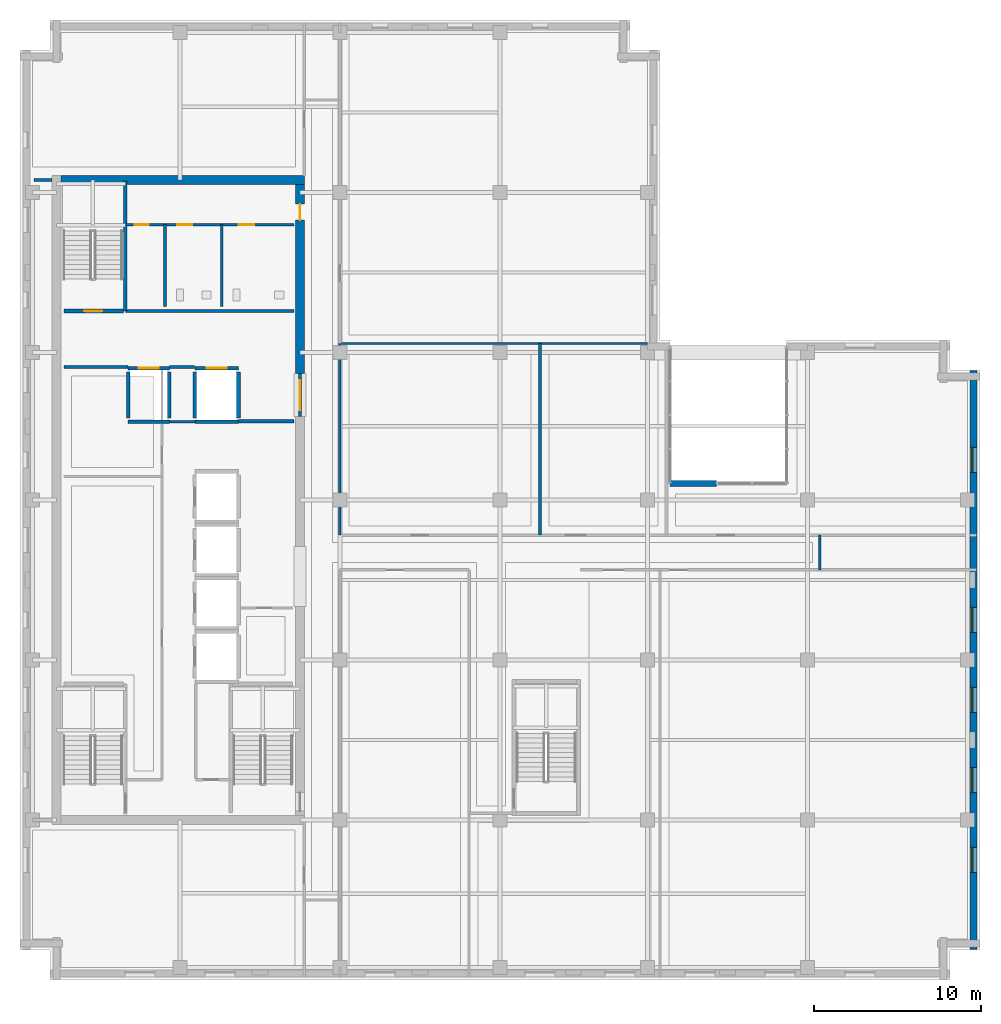
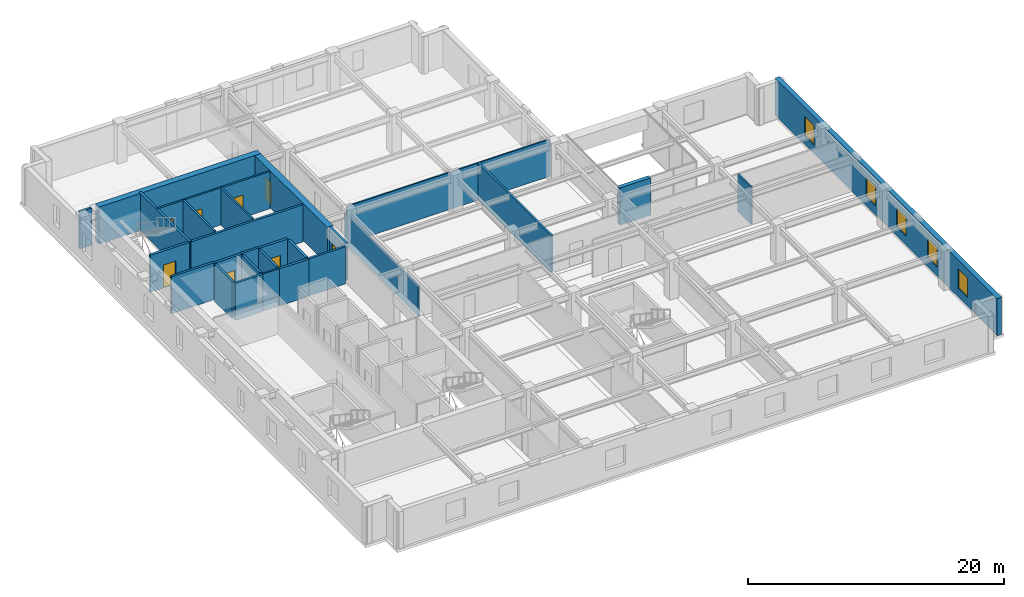
# One storey, part 5 of 12: 28 walls, 8 doors, 5 windows, 13 openings.
"""IFC4 building model written with IfcOpenShell, lengths in metres."""

from ifc_helpers import new_model, si_unit, direction, frame, frame_2d, origin, place, context, subcontext, project, spatial, rectangle, extrude, material, layer, layer_set, type_object, element, fill, save


model = new_model("IFC4")

# Units and contexts
model_context = context("Model", 3, precision=1e-05, world=origin(), true_north=direction((0.0, 1.0)))
body_context = subcontext(model_context, "Body", "Model", "MODEL_VIEW")
ifc_project = project(units=[si_unit("LENGTHUNIT", "METRE"), si_unit("AREAUNIT", "SQUARE_METRE"), si_unit("VOLUMEUNIT", "CUBIC_METRE"), si_unit("PLANEANGLEUNIT", "RADIAN"), si_unit("MASSUNIT", "GRAM", prefix="KILO")], contexts=[model_context])

# Site, building, storey
site_placement = place(None, origin())
site = spatial("IfcSite", under=ifc_project, at=site_placement, CompositionType="ELEMENT")
building_placement = place(site_placement, origin())
building = spatial("IfcBuilding", under=site, at=building_placement, Name="Norrvale University Quadrangle", CompositionType="ELEMENT")
storey_placement = place(building_placement, frame((0.0, 0.0, 225.60009765625)))
storey = spatial("IfcBuildingStorey", under=building, at=storey_placement, Name="L57", CompositionType="ELEMENT", Elevation=225.60009765625)

# Wall, openings, windows
ifc_material_1 = material(Name="Buff Norman Clay Brick Masonry", Category="masonry")
ifc_layer_1 = layer(ifc_material_1, 0.419921875, Name="Buff Norman Clay Brick Masonry")
ifc_layer_set_1 = layer_set([ifc_layer_1], Name="Buff Norman Clay Brick Masonry")
wall_type_1 = type_object("IfcWallType", Name="Wall Buff Brick 420", PredefinedType="SOLIDWALL", material=ifc_layer_set_1)
wall_1_placement = place(storey_placement, frame((57.2099609375, 1.840087890625, 0.0), z_axis=(0.0, 0.0, 1.0), x_axis=(0.0, 1.0, 0.0)))
wall_1 = element("IfcWall", 1, at=wall_1_placement, inside=storey, type_object=wall_type_1, Name="Exterior Brick Facade Wall L57-04.1", PredefinedType="SOLIDWALL", context=body_context, shape_type="SweptSolid", body=[
    extrude(rectangle(XDim=34.719970703125, YDim=0.419921875, at=frame_2d((17.35986328125, 0.0))), origin(), (0.0, 0.0, 1.0), 3.539794921875),
])
opening_1_placement = place(wall_1_placement, frame((4.610107421875, 0.0, 0.85009765625)))
opening_1 = element("IfcOpeningElement", 2, at=opening_1_placement, cuts=wall_1, Name="Opening W03", PredefinedType="OPENING", context=body_context, shape_type="SweptSolid", body=[
    extrude(rectangle(XDim=1.5, YDim=1.85009765625, at=frame_2d((0.75, 0.925048828125))), frame((0.0, 0.221923828125, 0.0), z_axis=(0.0, -1.0, 0.0), x_axis=(1.0, 0.0, 0.0)), (0.0, 0.0, 1.0), 0.44384765625),
])
opening_2_placement = place(wall_1_placement, frame((9.409912109375, 0.0, 0.85009765625)))
opening_2 = element("IfcOpeningElement", 3, at=opening_2_placement, cuts=wall_1, Name="Opening W03", PredefinedType="OPENING", context=body_context, shape_type="SweptSolid", body=[
    extrude(rectangle(XDim=1.5, YDim=1.85009765625, at=frame_2d((0.75, 0.925048828125))), frame((0.0, 0.221923828125, 0.0), z_axis=(0.0, -1.0, 0.0), x_axis=(1.0, 0.0, 0.0)), (0.0, 0.0, 1.0), 0.44384765625),
])
opening_3_placement = place(wall_1_placement, frame((14.2099609375, 0.0, 0.85009765625)))
opening_3 = element("IfcOpeningElement", 4, at=opening_3_placement, cuts=wall_1, Name="Opening W03", PredefinedType="OPENING", context=body_context, shape_type="SweptSolid", body=[
    extrude(rectangle(XDim=1.5, YDim=1.85009765625, at=frame_2d((0.75, 0.925048828125))), frame((0.0, 0.221923828125, 0.0), z_axis=(0.0, -1.0, 0.0), x_axis=(1.0, 0.0, 0.0)), (0.0, 0.0, 1.0), 0.44384765625),
])
opening_4_placement = place(wall_1_placement, frame((19.010009765625, 0.0, 0.85009765625)))
opening_4 = element("IfcOpeningElement", 5, at=opening_4_placement, cuts=wall_1, Name="Opening W03", PredefinedType="OPENING", context=body_context, shape_type="SweptSolid", body=[
    extrude(rectangle(XDim=1.5, YDim=1.85009765625, at=frame_2d((0.75, 0.925048828125))), frame((0.0, 0.221923828125, 0.0), z_axis=(0.0, -1.0, 0.0), x_axis=(1.0, 0.0, 0.0)), (0.0, 0.0, 1.0), 0.44384765625),
])
opening_5_placement = place(wall_1_placement, frame((28.610107421875, 0.0, 0.85009765625)))
opening_5 = element("IfcOpeningElement", 6, at=opening_5_placement, cuts=wall_1, Name="Opening W03", PredefinedType="OPENING", context=body_context, shape_type="SweptSolid", body=[
    extrude(rectangle(XDim=1.5, YDim=1.85009765625, at=frame_2d((0.75, 0.925048828125))), frame((0.0, 0.221923828125, 0.0), z_axis=(0.0, -1.0, 0.0), x_axis=(1.0, 0.0, 0.0)), (0.0, 0.0, 1.0), 0.44384765625),
])
ifc_material_2 = material(Name="Triple Low-E Argon Glazing", Category="glass")
window_type = type_object("IfcWindowType", Name="Window Studio 1500x2300", PartitioningType="DOUBLE_PANEL_VERTICAL", PredefinedType="WINDOW", material=ifc_material_2)
window_1_placement = place(opening_1_placement, origin())
window_1 = element("IfcWindow", 7, at=window_1_placement, inside=storey, type_object=window_type, Name="Window Studio 1500x2300 WIN-L57-E04-1-01", OverallHeight=1.85009765625, OverallWidth=1.5, PartitioningType="DOUBLE_PANEL_VERTICAL", PredefinedType="WINDOW", context=body_context, shape_type="SweptSolid", body=[
    extrude(rectangle(XDim=1.5, YDim=1.85009765625, at=frame_2d((0.75, 0.925048828125))), frame((0.0, 0.110107421875, 0.0), z_axis=(0.0, -1.0, 0.0), x_axis=(1.0, 0.0, 0.0)), (0.0, 0.0, 1.0), 0.06005859375),
])
fill(opening_1, window_1)
window_2_placement = place(opening_2_placement, origin())
window_2 = element("IfcWindow", 8, at=window_2_placement, inside=storey, type_object=window_type, Name="Window Studio 1500x2300 WIN-L57-E04-1-02", OverallHeight=1.85009765625, OverallWidth=1.5, PartitioningType="DOUBLE_PANEL_VERTICAL", PredefinedType="WINDOW", context=body_context, shape_type="SweptSolid", body=[
    extrude(rectangle(XDim=1.5, YDim=1.85009765625, at=frame_2d((0.75, 0.925048828125))), frame((0.0, 0.110107421875, 0.0), z_axis=(0.0, -1.0, 0.0), x_axis=(1.0, 0.0, 0.0)), (0.0, 0.0, 1.0), 0.06005859375),
])
fill(opening_2, window_2)
window_3_placement = place(opening_3_placement, origin())
window_3 = element("IfcWindow", 9, at=window_3_placement, inside=storey, type_object=window_type, Name="Window Studio 1500x2300 WIN-L57-E04-1-03", OverallHeight=1.85009765625, OverallWidth=1.5, PartitioningType="DOUBLE_PANEL_VERTICAL", PredefinedType="WINDOW", context=body_context, shape_type="SweptSolid", body=[
    extrude(rectangle(XDim=1.5, YDim=1.85009765625, at=frame_2d((0.75, 0.925048828125))), frame((0.0, 0.110107421875, 0.0), z_axis=(0.0, -1.0, 0.0), x_axis=(1.0, 0.0, 0.0)), (0.0, 0.0, 1.0), 0.06005859375),
])
fill(opening_3, window_3)
window_4_placement = place(opening_4_placement, origin())
window_4 = element("IfcWindow", 10, at=window_4_placement, inside=storey, type_object=window_type, Name="Window Studio 1500x2300 WIN-L57-E04-1-04", OverallHeight=1.85009765625, OverallWidth=1.5, PartitioningType="DOUBLE_PANEL_VERTICAL", PredefinedType="WINDOW", context=body_context, shape_type="SweptSolid", body=[
    extrude(rectangle(XDim=1.5, YDim=1.85009765625, at=frame_2d((0.75, 0.925048828125))), frame((0.0, 0.110107421875, 0.0), z_axis=(0.0, -1.0, 0.0), x_axis=(1.0, 0.0, 0.0)), (0.0, 0.0, 1.0), 0.06005859375),
])
fill(opening_4, window_4)
window_5_placement = place(opening_5_placement, origin())
window_5 = element("IfcWindow", 11, at=window_5_placement, inside=storey, type_object=window_type, Name="Window Studio 1500x2300 WIN-L57-E04-1-05", OverallHeight=1.85009765625, OverallWidth=1.5, PartitioningType="DOUBLE_PANEL_VERTICAL", PredefinedType="WINDOW", context=body_context, shape_type="SweptSolid", body=[
    extrude(rectangle(XDim=1.5, YDim=1.85009765625, at=frame_2d((0.75, 0.925048828125))), frame((0.0, 0.110107421875, 0.0), z_axis=(0.0, -1.0, 0.0), x_axis=(1.0, 0.0, 0.0)), (0.0, 0.0, 1.0), 0.06005859375),
])
fill(opening_5, window_5)

# Walls
wall_2_placement = place(storey_placement, frame((39.0, 29.800048828125, 0.0), z_axis=(0.0, 0.0, 1.0), x_axis=(1.0, 0.0, 0.0)))
element("IfcWall", 12, at=wall_2_placement, inside=storey, type_object=wall_type_1, Name="Sky Garden Loggia Access Wall L57", PredefinedType="SOLIDWALL", context=body_context, shape_type="SweptSolid", body=[
    extrude(rectangle(XDim=2.800048828125, YDim=0.360107421875, at=frame_2d((1.39990234375, 0.0))), origin(), (0.0, 0.0, 1.0), 3.539794921875),
])
ifc_material_3 = material(Name="Concrete C60/75", Category="concrete")
ifc_layer_2 = layer(ifc_material_3, 0.550048828125, Name="Concrete C60/75")
ifc_layer_set_2 = layer_set([ifc_layer_2], Name="Concrete C60/75")
wall_type_2 = type_object("IfcWallType", Name="Wall Core 550", PredefinedType="SHEAR", material=ifc_layer_set_2)
wall_3_placement = place(storey_placement, frame((2.47509765625, 48.0, 0.0), z_axis=(0.0, 0.0, 1.0), x_axis=(1.0, 0.0, 0.0)))
element("IfcWall", 13, at=wall_3_placement, inside=storey, type_object=wall_type_2, Name="Tower Core Shear Wall L57-N", PredefinedType="SHEAR", context=body_context, shape_type="SweptSolid", body=[
    extrude(rectangle(XDim=14.599853515625, YDim=0.550048828125, at=frame_2d((7.2998046875, 0.0))), origin(), (0.0, 0.0, 1.0), 3.539794921875),
])

# Wall, opening, door
wall_4_placement = place(storey_placement, frame((16.800048828125, 36.39990234375, 0.0), z_axis=(0.0, 0.0, 1.0), x_axis=(0.0, 1.0, 0.0)))
wall_4 = element("IfcWall", 14, at=wall_4_placement, inside=storey, type_object=wall_type_2, Name="Tower Core Shear Wall L57-E3", PredefinedType="SHEAR", context=body_context, shape_type="SweptSolid", body=[
    extrude(rectangle(XDim=11.3251953125, YDim=0.550048828125, at=frame_2d((5.66259765625, 0.0))), origin(), (0.0, 0.0, 1.0), 3.539794921875),
])
opening_6_placement = place(wall_4_placement, frame((9.199951171875, 0.0, 0.0)))
opening_6 = element("IfcOpeningElement", 15, at=opening_6_placement, cuts=wall_4, Name="Opening D07", PredefinedType="OPENING", context=body_context, shape_type="SweptSolid", body=[
    extrude(rectangle(XDim=0.949951171875, YDim=2.14990234375, at=frame_2d((0.47509765625, 1.074951171875))), frame((0.0, 0.287109375, 0.0), z_axis=(0.0, -1.0, 0.0), x_axis=(1.0, 0.0, 0.0)), (0.0, 0.0, 1.0), 0.573974609375),
])
ifc_material_4 = material(Name="Solid-Core Maple Door", Category="wood")
door_type_1 = type_object("IfcDoorType", Name="Door Office 950x2150", OperationType="NOTDEFINED", PredefinedType="DOOR", material=ifc_material_4)
door_1_placement = place(opening_6_placement, origin())
door_1 = element("IfcDoor", 16, at=door_1_placement, inside=storey, type_object=door_type_1, Name="Door Office 950x2150 DR-L57-NECORR", OperationType="SINGLE_SWING_RIGHT", OverallHeight=2.14990234375, OverallWidth=0.949951171875, PredefinedType="DOOR", context=body_context, shape_type="SweptSolid", body=[
    extrude(rectangle(XDim=0.949951171875, YDim=2.14990234375, at=frame_2d((0.47509765625, 1.074951171875))), frame((0.0, 0.02490234375, 0.0), z_axis=(0.0, -1.0, 0.0), x_axis=(1.0, 0.0, 0.0)), (0.0, 0.0, 1.0), 0.050048828125),
])
fill(opening_6, door_1)

# Walls
ifc_material_5 = material(Name="Standard Academic Gypsum Partition")
ifc_layer_3 = layer(ifc_material_5, 0.125, Name="Standard Academic Gypsum Partition")
ifc_layer_set_3 = layer_set([ifc_layer_3], Name="Standard Academic Gypsum Partition")
wall_type_3 = type_object("IfcWallType", Name="Wall Gypsum Academic 125", PredefinedType="PARTITIONING", material=ifc_layer_set_3)
wall_5_placement = place(storey_placement, frame((19.280029296875, 38.179931640625, 0.0), z_axis=(0.0, 0.0, 1.0), x_axis=(1.0, 0.0, 0.0)))
element("IfcWall", 17, at=wall_5_placement, inside=storey, type_object=wall_type_3, Name="Interior Partition WL-L57-ME-N", PredefinedType="PARTITIONING", context=body_context, shape_type="SweptSolid", body=[
    extrude(rectangle(XDim=18.369873046875, YDim=0.125, at=frame_2d((9.18505859375, 0.0))), origin(), (0.0, 0.0, 1.0), 3.539794921875),
])
ifc_material_6 = material(Name="Fire-Rated Gypsum Stud Partition")
ifc_layer_4 = layer(ifc_material_6, 0.14990234375, Name="Fire-Rated Gypsum Stud Partition")
ifc_layer_set_4 = layer_set([ifc_layer_4], Name="Fire-Rated Gypsum Stud Partition")
wall_type_4 = type_object("IfcWallType", Name="Wall Gypsum Corridor 150", PredefinedType="PARTITIONING", material=ifc_layer_set_4)
wall_6_placement = place(storey_placement, frame((8.965087890625, 33.489990234375, 0.0), z_axis=(0.0, 0.0, 1.0), x_axis=(1.0, 0.0, 0.0)))
element("IfcWall", 18, at=wall_6_placement, inside=storey, type_object=wall_type_4, Name="Interior Partition WL-L57-LL3", PredefinedType="PARTITIONING", context=body_context, shape_type="SweptSolid", body=[
    extrude(rectangle(XDim=1.52001953125, YDim=0.14990234375, at=frame_2d((0.760009765625, 0.0))), origin(), (0.0, 0.0, 1.0), 3.539794921875),
])
wall_7_placement = place(storey_placement, frame((48.0, 24.60009765625, 0.0), z_axis=(0.0, 0.0, 1.0), x_axis=(0.0, 1.0, 0.0)))
element("IfcWall", 19, at=wall_7_placement, inside=storey, type_object=wall_type_4, Name="Interior Partition WL-L57-CESP-E", PredefinedType="PARTITIONING", context=body_context, shape_type="SweptSolid", body=[
    extrude(rectangle(XDim=2.099853515625, YDim=0.14990234375, at=frame_2d((1.0498046875, 0.0))), origin(), (0.0, 0.0, 1.0), 3.539794921875),
])
wall_8_placement = place(storey_placement, frame((19.199951171875, 26.699951171875, 0.0), z_axis=(0.0, 0.0, 1.0), x_axis=(0.0, 1.0, 0.0)))
element("IfcWall", 20, at=wall_8_placement, inside=storey, type_object=wall_type_4, Name="Interior Partition WL-L57-ME-W", PredefinedType="PARTITIONING", context=body_context, shape_type="SweptSolid", body=[
    extrude(rectangle(XDim=11.47998046875, YDim=0.14990234375, at=frame_2d((5.739990234375, 0.0))), origin(), (0.0, 0.0, 1.0), 2.9228515625),
])
ifc_material_7 = material(Name="Acoustic Double-Stud Gypsum Partition")
ifc_layer_5 = layer(ifc_material_7, 0.179931640625, Name="Acoustic Double-Stud Gypsum Partition")
ifc_layer_set_5 = layer_set([ifc_layer_5], Name="Acoustic Double-Stud Gypsum Partition")
wall_type_5 = type_object("IfcWallType", Name="Wall Gypsum Lecture 180", PredefinedType="PARTITIONING", material=ifc_layer_set_5)
wall_9_placement = place(storey_placement, frame((31.199951171875, 26.699951171875, 0.0), z_axis=(0.0, 0.0, 1.0), x_axis=(0.0, 1.0, 0.0)))
element("IfcWall", 21, at=wall_9_placement, inside=storey, type_object=wall_type_5, Name="Interior Partition WL-L57-MEP01", PredefinedType="PARTITIONING", context=body_context, shape_type="SweptSolid", body=[
    extrude(rectangle(XDim=11.47998046875, YDim=0.179931640625, at=frame_2d((5.739990234375, 0.0))), origin(), (0.0, 0.0, 1.0), 3.539794921875),
])

# Wall, openings, doors
ifc_material_8 = material(Name="Sanitary Chase Gypsum Partition")
ifc_layer_6 = layer(ifc_material_8, 0.1650390625, Name="Sanitary Chase Gypsum Partition")
ifc_layer_set_6 = layer_set([ifc_layer_6], Name="Sanitary Chase Gypsum Partition")
wall_type_6 = type_object("IfcWallType", Name="Wall Gypsum Sanitary 165", PredefinedType="PLUMBINGWALL", material=ifc_layer_set_6)
wall_10_placement = place(storey_placement, frame((6.320068359375, 45.320068359375, 0.0), z_axis=(0.0, 0.0, 1.0), x_axis=(1.0, 0.0, 0.0)))
wall_10 = element("IfcWall", 22, at=wall_10_placement, inside=storey, type_object=wall_type_6, Name="Interior Partition WL-L57-WCN", PredefinedType="PLUMBINGWALL", context=body_context, shape_type="SweptSolid", body=[
    extrude(rectangle(XDim=10.1298828125, YDim=0.1650390625, at=frame_2d((5.06494140625, 0.0))), origin(), (0.0, 0.0, 1.0), 3.539794921875),
])
opening_7_placement = place(wall_10_placement, frame((0.550048828125, 0.0, 0.0)))
opening_7 = element("IfcOpeningElement", 23, at=opening_7_placement, cuts=wall_10, Name="Opening D10", PredefinedType="OPENING", context=body_context, shape_type="SweptSolid", body=[
    extrude(rectangle(XDim=0.85009765625, YDim=2.10009765625, at=frame_2d((0.425048828125, 1.050048828125))), frame((0.0, 0.094482421875, 0.0), z_axis=(0.0, -1.0, 0.0), x_axis=(1.0, 0.0, 0.0)), (0.0, 0.0, 1.0), 0.18896484375),
])
opening_8_placement = place(wall_10_placement, frame((3.10009765625, 0.0, 0.0)))
opening_8 = element("IfcOpeningElement", 24, at=opening_8_placement, cuts=wall_10, Name="Opening D08", PredefinedType="OPENING", context=body_context, shape_type="SweptSolid", body=[
    extrude(rectangle(XDim=0.919921875, YDim=2.14990234375, at=frame_2d((0.4599609375, 1.074951171875))), frame((0.0, 0.094482421875, 0.0), z_axis=(0.0, -1.0, 0.0), x_axis=(1.0, 0.0, 0.0)), (0.0, 0.0, 1.0), 0.18896484375),
])
opening_9_placement = place(wall_10_placement, frame((6.800048828125, 0.0, 0.0)))
opening_9 = element("IfcOpeningElement", 25, at=opening_9_placement, cuts=wall_10, Name="Opening D08", PredefinedType="OPENING", context=body_context, shape_type="SweptSolid", body=[
    extrude(rectangle(XDim=0.919921875, YDim=2.14990234375, at=frame_2d((0.4599609375, 1.074951171875))), frame((0.0, 0.094482421875, 0.0), z_axis=(0.0, -1.0, 0.0), x_axis=(1.0, 0.0, 0.0)), (0.0, 0.0, 1.0), 0.18896484375),
])
ifc_material_9 = material(Name="Hollow Steel 350W Riser Fire Door", Category="steel")
door_type_2 = type_object("IfcDoorType", Name="Door Riser 850x2100", OperationType="NOTDEFINED", PredefinedType="DOOR", material=ifc_material_9)
door_2_placement = place(opening_7_placement, origin())
door_2 = element("IfcDoor", 26, at=door_2_placement, inside=storey, type_object=door_type_2, Name="Door Riser 850x2100 DR-L57-WC1", OperationType="SINGLE_SWING_LEFT", OverallHeight=2.10009765625, OverallWidth=0.85009765625, PredefinedType="DOOR", context=body_context, shape_type="SweptSolid", body=[
    extrude(rectangle(XDim=0.85009765625, YDim=2.10009765625, at=frame_2d((0.425048828125, 1.050048828125))), frame((0.0, 0.02490234375, 0.0), z_axis=(0.0, -1.0, 0.0), x_axis=(1.0, 0.0, 0.0)), (0.0, 0.0, 1.0), 0.050048828125),
])
fill(opening_7, door_2)
ifc_material_10 = material(Name="Laminate Washroom Door", Category="wood")
door_type_3 = type_object("IfcDoorType", Name="Door Washroom 920x2150", OperationType="NOTDEFINED", PredefinedType="DOOR", material=ifc_material_10)
door_3_placement = place(opening_8_placement, origin())
door_3 = element("IfcDoor", 27, at=door_3_placement, inside=storey, type_object=door_type_3, Name="Door Washroom 920x2150 DR-L57-WC2", OperationType="SINGLE_SWING_RIGHT", OverallHeight=2.14990234375, OverallWidth=0.919921875, PredefinedType="DOOR", context=body_context, shape_type="SweptSolid", body=[
    extrude(rectangle(XDim=0.919921875, YDim=2.14990234375, at=frame_2d((0.4599609375, 1.074951171875))), frame((0.0, 0.02490234375, 0.0), z_axis=(0.0, -1.0, 0.0), x_axis=(1.0, 0.0, 0.0)), (0.0, 0.0, 1.0), 0.050048828125),
])
fill(opening_8, door_3)
door_4_placement = place(opening_9_placement, origin())
door_4 = element("IfcDoor", 28, at=door_4_placement, inside=storey, type_object=door_type_3, Name="Door Washroom 920x2150 DR-L57-WC3", OperationType="SINGLE_SWING_LEFT", OverallHeight=2.14990234375, OverallWidth=0.919921875, PredefinedType="DOOR", context=body_context, shape_type="SweptSolid", body=[
    extrude(rectangle(XDim=0.919921875, YDim=2.14990234375, at=frame_2d((0.4599609375, 1.074951171875))), frame((0.0, 0.02490234375, 0.0), z_axis=(0.0, -1.0, 0.0), x_axis=(1.0, 0.0, 0.0)), (0.0, 0.0, 1.0), 0.050048828125),
])
fill(opening_9, door_4)

# Walls
for number, where, z_axis, x_axis, name in (
    (29, (8.699951171875, 40.39990234375, 0.0), (0.0, 0.0, 1.0), (0.0, 1.0, 0.0), "Interior Partition WL-L57-WCM1"),
    (30, (12.10009765625, 40.39990234375, 0.0), (0.0, 0.0, 1.0), (0.0, 1.0, 0.0), "Interior Partition WL-L57-WCM2"),
):
    element("IfcWall", number, at=place(storey_placement, frame(where, z_axis=z_axis, x_axis=x_axis)), inside=storey, type_object=wall_type_6, Name=name, PredefinedType="PLUMBINGWALL", context=body_context, shape_type="SweptSolid", body=[
        extrude(rectangle(XDim=4.920166015625, YDim=0.1650390625, at=frame_2d((2.4599609375, 0.0))), origin(), (0.0, 0.0, 1.0), 3.539794921875),
    ])
ifc_material_11 = material(Name="Concrete Blockwork 20 MPa Rated Wall", Category="masonry")
ifc_layer_7 = layer(ifc_material_11, 0.199951171875, Name="Concrete Blockwork 20 MPa Rated Wall")
ifc_layer_set_7 = layer_set([ifc_layer_7], Name="Concrete Blockwork 20 MPa Rated Wall")
wall_type_7 = type_object("IfcWallType", Name="Wall Lobby 200", PredefinedType="SOLIDWALL", material=ifc_layer_set_7)
wall_11_placement = place(storey_placement, frame((2.64990234375, 36.780029296875, 0.0), z_axis=(0.0, 0.0, 1.0), x_axis=(1.0, 0.0, 0.0)))
element("IfcWall", 31, at=wall_11_placement, inside=storey, type_object=wall_type_7, Name="Interior Partition WL-L57-FF1", PredefinedType="SOLIDWALL", context=body_context, shape_type="SweptSolid", body=[
    extrude(rectangle(XDim=3.830078125, YDim=0.199951171875, at=frame_2d((1.9150390625, 0.0))), origin(), (0.0, 0.0, 1.0), 3.539794921875),
])
wall_12_placement = place(storey_placement, frame((8.969970703125, 36.780029296875, 0.0), z_axis=(0.0, 0.0, 1.0), x_axis=(1.0, 0.0, 0.0)))
element("IfcWall", 32, at=wall_12_placement, inside=storey, type_object=wall_type_7, Name="Interior Partition WL-L57-FF2", PredefinedType="SOLIDWALL", context=body_context, shape_type="SweptSolid", body=[
    extrude(rectangle(XDim=1.510009765625, YDim=0.199951171875, at=frame_2d((0.7548828125, 0.0))), origin(), (0.0, 0.0, 1.0), 3.539794921875),
])
wall_13_placement = place(storey_placement, frame((13.1201171875, 33.52001953125, 0.0), z_axis=(0.0, 0.0, 1.0), x_axis=(1.0, 0.0, 0.0)))
element("IfcWall", 33, at=wall_13_placement, inside=storey, type_object=wall_type_7, Name="Interior Partition WL-L57-FF3", PredefinedType="SOLIDWALL", context=body_context, shape_type="SweptSolid", body=[
    extrude(rectangle(XDim=3.329833984375, YDim=0.199951171875, at=frame_2d((1.6650390625, 0.0))), origin(), (0.0, 0.0, 1.0), 3.539794921875),
])
wall_14_placement = place(storey_placement, frame((6.320068359375, 40.139892578125, 0.0), z_axis=(0.0, 0.0, 1.0), x_axis=(1.0, 0.0, 0.0)))
element("IfcWall", 34, at=wall_14_placement, inside=storey, type_object=wall_type_7, Name="Interior Partition WL-L57-FF4", PredefinedType="SOLIDWALL", context=body_context, shape_type="SweptSolid", body=[
    extrude(rectangle(XDim=10.1298828125, YDim=0.199951171875, at=frame_2d((5.06494140625, 0.0))), origin(), (0.0, 0.0, 1.0), 3.539794921875),
])

# Wall, opening, door
wall_15_placement = place(storey_placement, frame((16.800048828125, 33.800048828125, 0.0), z_axis=(0.0, 0.0, 1.0), x_axis=(0.0, 1.0, 0.0)))
wall_15 = element("IfcWall", 35, at=wall_15_placement, inside=storey, type_object=wall_type_7, Name="Interior Partition WL-L57-FFP", PredefinedType="SOLIDWALL", context=body_context, shape_type="SweptSolid", body=[
    extrude(rectangle(XDim=2.599853515625, YDim=0.199951171875, at=frame_2d((1.2998046875, 0.0))), origin(), (0.0, 0.0, 1.0), 3.539794921875),
])
opening_10_placement = place(wall_15_placement, frame((0.39990234375, 0.0, 0.0)))
opening_10 = element("IfcOpeningElement", 36, at=opening_10_placement, cuts=wall_15, Name="Opening D03", PredefinedType="OPENING", context=body_context, shape_type="SweptSolid", body=[
    extrude(rectangle(XDim=1.800048828125, YDim=2.199951171875, at=frame_2d((0.89990234375, 1.10009765625))), frame((0.0, 0.112060546875, 0.0), z_axis=(0.0, -1.0, 0.0), x_axis=(1.0, 0.0, 0.0)), (0.0, 0.0, 1.0), 0.223876953125),
])
ifc_material_12 = material(Name="Hollow Steel 350W Fire Door", Category="steel")
door_type_4 = type_object("IfcDoorType", Name="Door Fire Lobby 1800x2200", OperationType="DOUBLE_DOOR_SINGLE_SWING", PredefinedType="DOOR", material=ifc_material_12)
door_5_placement = place(opening_10_placement, origin())
door_5 = element("IfcDoor", 37, at=door_5_placement, inside=storey, type_object=door_type_4, Name="Door Fire Lobby 1800x2200 DR-L57-FFP", OperationType="DOUBLE_DOOR_SINGLE_SWING", OverallHeight=2.199951171875, OverallWidth=1.800048828125, PredefinedType="DOOR", context=body_context, shape_type="SweptSolid", body=[
    extrude(rectangle(XDim=1.800048828125, YDim=2.199951171875, at=frame_2d((0.89990234375, 1.10009765625))), frame((0.0, 0.02490234375, 0.0), z_axis=(0.0, -1.0, 0.0), x_axis=(1.0, 0.0, 0.0)), (0.0, 0.0, 1.0), 0.050048828125),
])
fill(opening_10, door_5)

# Wall
wall_16_placement = place(storey_placement, frame((0.85009765625, 48.0, 0.0), z_axis=(0.0, 0.0, 1.0), x_axis=(1.0, 0.0, 0.0)))
element("IfcWall", 38, at=wall_16_placement, inside=storey, type_object=wall_type_7, Name="Interior Partition WL-L57-CWRET-N", PredefinedType="SOLIDWALL", context=body_context, shape_type="SweptSolid", body=[
    extrude(rectangle(XDim=1.06982421875, YDim=0.199951171875, at=frame_2d((0.534912109375, 0.0))), origin(), (0.0, 0.0, 1.0), 3.539794921875),
])

# Wall, opening, door
ifc_material_13 = material(Name="Concrete Blockwork 20 MPa Fire Shaft", Category="masonry")
ifc_layer_8 = layer(ifc_material_13, 0.219970703125, Name="Concrete Blockwork 20 MPa Fire Shaft")
ifc_layer_set_8 = layer_set([ifc_layer_8], Name="Concrete Blockwork 20 MPa Fire Shaft")
wall_type_8 = type_object("IfcWallType", Name="Wall Shaft 220", PredefinedType="SOLIDWALL", material=ifc_layer_set_8)
wall_17_placement = place(storey_placement, frame((2.64990234375, 40.139892578125, 0.0), z_axis=(0.0, 0.0, 1.0), x_axis=(1.0, 0.0, 0.0)))
wall_17 = element("IfcWall", 39, at=wall_17_placement, inside=storey, type_object=wall_type_8, Name="Stair ST-02 South Shaft Wall L57", PredefinedType="SOLIDWALL", context=body_context, shape_type="SweptSolid", body=[
    extrude(rectangle(XDim=3.550048828125, YDim=0.219970703125, at=frame_2d((1.77490234375, 0.0))), origin(), (0.0, 0.0, 1.0), 3.539794921875),
])
opening_11_placement = place(wall_17_placement, frame((1.199951171875, 0.0, 0.0)))
opening_11 = element("IfcOpeningElement", 40, at=opening_11_placement, cuts=wall_17, Name="Opening D02", PredefinedType="OPENING", context=body_context, shape_type="SweptSolid", body=[
    extrude(rectangle(XDim=1.10009765625, YDim=2.199951171875, at=frame_2d((0.550048828125, 1.10009765625))), frame((0.0, 0.1220703125, 0.0), z_axis=(0.0, -1.0, 0.0), x_axis=(1.0, 0.0, 0.0)), (0.0, 0.0, 1.0), 0.243896484375),
])
door_type_5 = type_object("IfcDoorType", Name="Door Stair Exit 1100x2200", OperationType="NOTDEFINED", PredefinedType="DOOR", material=ifc_material_12)
door_6_placement = place(opening_11_placement, origin())
door_6 = element("IfcDoor", 41, at=door_6_placement, inside=storey, type_object=door_type_5, Name="Door Stair Exit 1100x2200 DR-L57-ST02", OperationType="SINGLE_SWING_LEFT", OverallHeight=2.199951171875, OverallWidth=1.10009765625, PredefinedType="DOOR", context=body_context, shape_type="SweptSolid", body=[
    extrude(rectangle(XDim=1.10009765625, YDim=2.199951171875, at=frame_2d((0.550048828125, 1.10009765625))), frame((0.0, 0.02490234375, 0.0), z_axis=(0.0, -1.0, 0.0), x_axis=(1.0, 0.0, 0.0)), (0.0, 0.0, 1.0), 0.050048828125),
])
fill(opening_11, door_6)

# Walls
wall_18_placement = place(storey_placement, frame((6.31005859375, 40.139892578125, 0.0), z_axis=(0.0, 0.0, 1.0), x_axis=(0.0, 1.0, 0.0)))
element("IfcWall", 42, at=wall_18_placement, inside=storey, type_object=wall_type_8, Name="Stair ST-02 East Shaft Wall L57", PredefinedType="SOLIDWALL", context=body_context, shape_type="SweptSolid", body=[
    extrude(rectangle(XDim=7.81005859375, YDim=0.219970703125, at=frame_2d((3.905029296875, 0.0))), origin(), (0.0, 0.0, 1.0), 3.539794921875),
])
for number, where, z_axis, x_axis, name in (
    (43, (6.489990234375, 33.7099609375, 0.0), (0.0, 0.0, 1.0), (0.0, 1.0, 0.0), "Hoistway FFL-01 West Wall L57"),
    (44, (8.9599609375, 33.7099609375, 0.0), (0.0, 0.0, 1.0), (0.0, 1.0, 0.0), "Hoistway FFL-01 East Wall L57"),
):
    element("IfcWall", number, at=place(storey_placement, frame(where, z_axis=z_axis, x_axis=x_axis)), inside=storey, type_object=wall_type_8, Name=name, PredefinedType="SOLIDWALL", context=body_context, shape_type="SweptSolid", body=[
        extrude(rectangle(XDim=2.780029296875, YDim=0.219970703125, at=frame_2d((1.39013671875, 0.0))), origin(), (0.0, 0.0, 1.0), 3.539794921875),
    ])
wall_19_placement = place(storey_placement, frame((6.489990234375, 33.489990234375, 0.0), z_axis=(0.0, 0.0, 1.0), x_axis=(1.0, 0.0, 0.0)))
element("IfcWall", 45, at=wall_19_placement, inside=storey, type_object=wall_type_8, Name="Hoistway FFL-01 South Wall L57", PredefinedType="SOLIDWALL", context=body_context, shape_type="SweptSolid", body=[
    extrude(rectangle(XDim=2.469970703125, YDim=0.219970703125, at=frame_2d((1.23486328125, 0.0))), origin(), (0.0, 0.0, 1.0), 3.539794921875),
])

# Wall, opening, door
wall_20_placement = place(storey_placement, frame((6.489990234375, 36.7099609375, 0.0), z_axis=(0.0, 0.0, 1.0), x_axis=(1.0, 0.0, 0.0)))
wall_20 = element("IfcWall", 46, at=wall_20_placement, inside=storey, type_object=wall_type_8, Name="Hoistway FFL-01 North Wall L57", PredefinedType="SOLIDWALL", context=body_context, shape_type="SweptSolid", body=[
    extrude(rectangle(XDim=2.469970703125, YDim=0.219970703125, at=frame_2d((1.23486328125, 0.0))), origin(), (0.0, 0.0, 1.0), 3.539794921875),
])
opening_12_placement = place(wall_20_placement, frame((0.635009765625, 0.0, 0.0)))
opening_12 = element("IfcOpeningElement", 47, at=opening_12_placement, cuts=wall_20, Name="Opening LD2", PredefinedType="OPENING", context=body_context, shape_type="SweptSolid", body=[
    extrude(rectangle(XDim=1.199951171875, YDim=2.199951171875, at=frame_2d((0.60009765625, 1.10009765625))), frame((0.0, 0.1220703125, 0.0), z_axis=(0.0, -1.0, 0.0), x_axis=(1.0, 0.0, 0.0)), (0.0, 0.0, 1.0), 0.243896484375),
])
ifc_material_14 = material(Name="Stainless Steel 316L Firefighter Lift Door", Category="steel")
door_type_6 = type_object("IfcDoorType", Name="Door Fire Lift 1200x2200", OperationType="DOUBLE_DOOR_SLIDING", PredefinedType="DOOR", material=ifc_material_14)
door_7_placement = place(opening_12_placement, origin())
door_7 = element("IfcDoor", 48, at=door_7_placement, inside=storey, type_object=door_type_6, Name="Elevator Landing Door DR-L57-FFL-01", OperationType="DOUBLE_DOOR_SLIDING", OverallHeight=2.199951171875, OverallWidth=1.199951171875, PredefinedType="DOOR", context=body_context, shape_type="SweptSolid", body=[
    extrude(rectangle(XDim=1.199951171875, YDim=2.199951171875, at=frame_2d((0.60009765625, 1.10009765625))), frame((0.0, 0.02490234375, 0.0), z_axis=(0.0, -1.0, 0.0), x_axis=(1.0, 0.0, 0.0)), (0.0, 0.0, 1.0), 0.050048828125),
])
fill(opening_12, door_7)

# Walls
for number, where, z_axis, x_axis, name in (
    (49, (10.489990234375, 33.7099609375, 0.0), (0.0, 0.0, 1.0), (0.0, 1.0, 0.0), "Hoistway FFL-02 West Wall L57"),
    (50, (13.110107421875, 33.7099609375, 0.0), (0.0, 0.0, 1.0), (0.0, 1.0, 0.0), "Hoistway FFL-02 East Wall L57"),
):
    element("IfcWall", number, at=place(storey_placement, frame(where, z_axis=z_axis, x_axis=x_axis)), inside=storey, type_object=wall_type_8, Name=name, PredefinedType="SOLIDWALL", context=body_context, shape_type="SweptSolid", body=[
        extrude(rectangle(XDim=2.780029296875, YDim=0.219970703125, at=frame_2d((1.39013671875, 0.0))), origin(), (0.0, 0.0, 1.0), 3.539794921875),
    ])
wall_21_placement = place(storey_placement, frame((10.489990234375, 33.489990234375, 0.0), z_axis=(0.0, 0.0, 1.0), x_axis=(1.0, 0.0, 0.0)))
element("IfcWall", 51, at=wall_21_placement, inside=storey, type_object=wall_type_8, Name="Hoistway FFL-02 South Wall L57", PredefinedType="SOLIDWALL", context=body_context, shape_type="SweptSolid", body=[
    extrude(rectangle(XDim=2.6201171875, YDim=0.219970703125, at=frame_2d((1.31005859375, 0.0))), origin(), (0.0, 0.0, 1.0), 3.539794921875),
])

# Wall, opening, door
wall_22_placement = place(storey_placement, frame((10.489990234375, 36.7099609375, 0.0), z_axis=(0.0, 0.0, 1.0), x_axis=(1.0, 0.0, 0.0)))
wall_22 = element("IfcWall", 52, at=wall_22_placement, inside=storey, type_object=wall_type_8, Name="Hoistway FFL-02 North Wall L57", PredefinedType="SOLIDWALL", context=body_context, shape_type="SweptSolid", body=[
    extrude(rectangle(XDim=2.6201171875, YDim=0.219970703125, at=frame_2d((1.31005859375, 0.0))), origin(), (0.0, 0.0, 1.0), 3.539794921875),
])
opening_13_placement = place(wall_22_placement, frame((0.7099609375, 0.0, 0.0)))
opening_13 = element("IfcOpeningElement", 53, at=opening_13_placement, cuts=wall_22, Name="Opening LD2", PredefinedType="OPENING", context=body_context, shape_type="SweptSolid", body=[
    extrude(rectangle(XDim=1.199951171875, YDim=2.199951171875, at=frame_2d((0.60009765625, 1.10009765625))), frame((0.0, 0.1220703125, 0.0), z_axis=(0.0, -1.0, 0.0), x_axis=(1.0, 0.0, 0.0)), (0.0, 0.0, 1.0), 0.243896484375),
])
door_8_placement = place(opening_13_placement, origin())
door_8 = element("IfcDoor", 54, at=door_8_placement, inside=storey, type_object=door_type_6, Name="Elevator Landing Door DR-L57-FFL-02", OperationType="DOUBLE_DOOR_SLIDING", OverallHeight=2.199951171875, OverallWidth=1.199951171875, PredefinedType="DOOR", context=body_context, shape_type="SweptSolid", body=[
    extrude(rectangle(XDim=1.199951171875, YDim=2.199951171875, at=frame_2d((0.60009765625, 1.10009765625))), frame((0.0, 0.02490234375, 0.0), z_axis=(0.0, -1.0, 0.0), x_axis=(1.0, 0.0, 0.0)), (0.0, 0.0, 1.0), 0.050048828125),
])
fill(opening_13, door_8)

save(model, "model.ifc")
